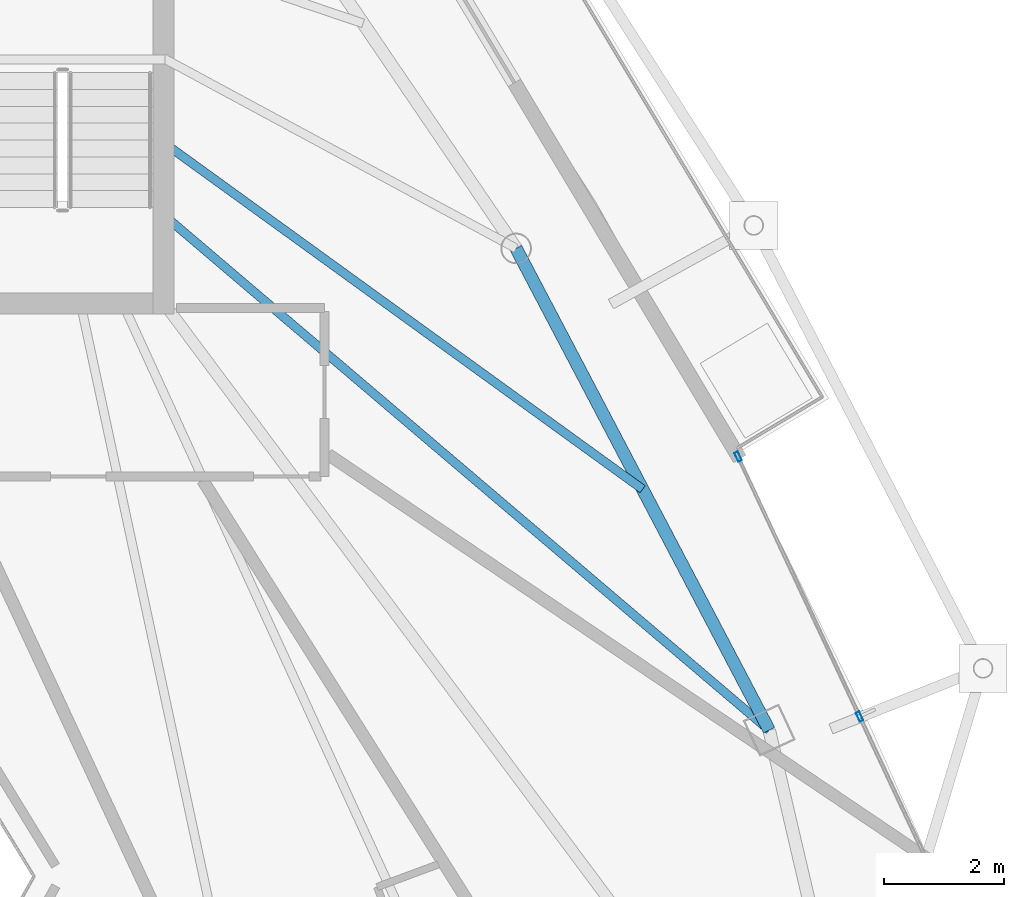
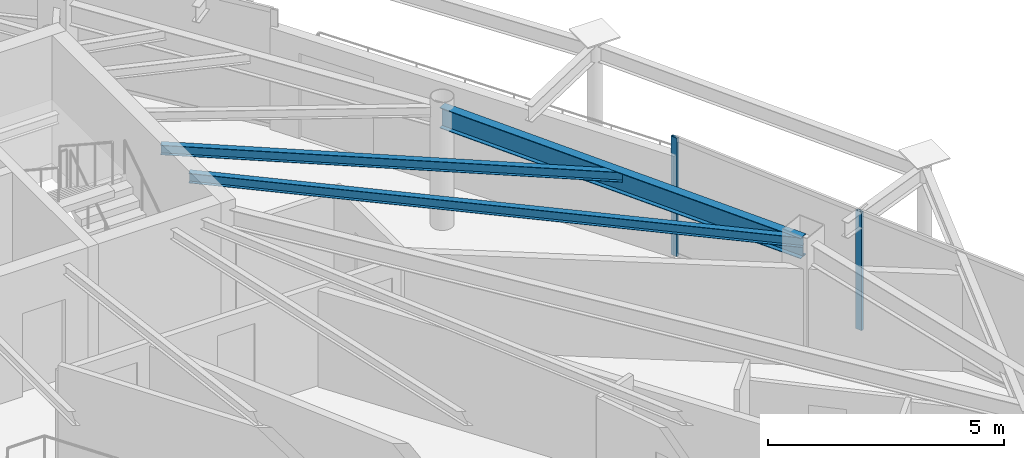
# One storey, part 17 of 29: 3 beams, 2 members, 1 element without a shape of its own.
"""IFC4 building model written with IfcOpenShell, lengths in metres."""

from ifc_helpers import new_model, si_unit, direction, frame, origin, origin_2d, place, context, subcontext, project, spatial, hollow_rectangle, i_section, extrude, material, layer, layer_set, material_profile, profile_set, type_object, element, aggregate, save


model = new_model("IFC4")

# Units and contexts
model_context = context("Model", 3, precision=1e-05, world=origin(), true_north=direction((0.0, 1.0)))
body_context = subcontext(model_context, "Body", "Model", "MODEL_VIEW")
ifc_project = project(units=[si_unit("LENGTHUNIT", "METRE"), si_unit("AREAUNIT", "SQUARE_METRE"), si_unit("VOLUMEUNIT", "CUBIC_METRE"), si_unit("PLANEANGLEUNIT", "RADIAN"), si_unit("MASSUNIT", "GRAM", prefix="KILO")], contexts=[model_context])

# Site, building, storey
site_placement = place(None, origin())
site = spatial("IfcSite", under=ifc_project, at=site_placement, CompositionType="ELEMENT")
building_placement = place(site_placement, origin())
building = spatial("IfcBuilding", under=site, at=building_placement, Name="Orvanel Arch Residences", CompositionType="ELEMENT")
storey_placement = place(building_placement, frame((0.0, 0.0, 256.85009765625)))
storey = spatial("IfcBuildingStorey", under=building, at=storey_placement, Name="L73", CompositionType="ELEMENT", Elevation=256.85009765625)

# Beams
ifc_material_1 = material(Name="Structural steel AS/NZS 3679.1 Grade 300 (300 MPa)", Category="steel")
ifc_material_profile_1 = material_profile(ifc_material_1, i_section(OverallWidth=0.14599609375, OverallDepth=0.251953125, WebThickness=0.006103515625, FlangeThickness=0.008544921875, at=origin_2d()), Name="250UB31.4")
ifc_profile_set_1 = profile_set([ifc_material_profile_1], Name="Structural steel AS/NZS 3679.1 Grade 300 (300 MPa)")
beam_type_1 = type_object("IfcBeamType", Name="BJ-250UB", PredefinedType="JOIST", material=ifc_profile_set_1)
beam_1_placement = place(storey_placement, frame((39.574951171875, 28.199951171875, 2.933837890625), z_axis=(0.761622669031, -0.64802076357, 0.0), x_axis=(0.64802076357, 0.761622669031, 0.0)))
element("IfcBeam", 1, at=beam_1_placement, inside=storey, type_object=beam_type_1, Name="L73 E Wing Floor Joist", PredefinedType="JOIST", context=body_context, shape_type="SweptSolid", body=[
    extrude(i_section(OverallWidth=0.14599609375, OverallDepth=0.251953125, WebThickness=0.006103515625, FlangeThickness=0.008544921875, at=origin_2d()), origin(), (0.0, 0.0, 1.0), 13.2060546875),
])
beam_2_placement = place(storey_placement, frame((39.574951171875, 29.39990234375, 2.933837890625), z_axis=(0.810144032972, -0.586230881002, 0.0), x_axis=(0.586230881002, 0.810144032972, 0.0)))
element("IfcBeam", 2, at=beam_2_placement, inside=storey, type_object=beam_type_1, Name="L73 CTE Wing Floor Joist", PredefinedType="JOIST", context=body_context, shape_type="SweptSolid", body=[
    extrude(i_section(OverallWidth=0.14599609375, OverallDepth=0.251953125, WebThickness=0.006103515625, FlangeThickness=0.008544921875, at=origin_2d()), origin(), (0.0, 0.0, 1.0), 9.82177734375),
])

# Curtain wall, members
ifc_material_2 = material(Name="Bronze-anodised aluminium AA6063-T6", Category="aluminium")
ifc_layer = layer(ifc_material_2, 0.175048828125)
ifc_layer_set = layer_set([ifc_layer], Name="Bronze-anodised aluminium AA6063-T6")
curtain_wall_type = type_object("IfcCurtainWallType", Name="CW4-HI-SYS", PredefinedType="NOTDEFINED", material=ifc_layer_set)
curtain_wall_placement = place(storey_placement, origin())
curtain_wall = element("IfcCurtainWall", 3, at=curtain_wall_placement, inside=storey, type_object=curtain_wall_type, Name="L73 CW4-HI-SYS Unitised Curtain Wall", PredefinedType="NOTDEFINED")
ifc_material_profile_2 = material_profile(ifc_material_2, hollow_rectangle(XDim=0.06494140625, YDim=0.159912109375, WallThickness=0.00390625, at=origin_2d()), Name="ALU160x65x4")
ifc_profile_set_2 = profile_set([ifc_material_profile_2], Name="Bronze-anodised aluminium AA6063-T6")
member_type = type_object("IfcMemberType", Name="MUL-160x65", PredefinedType="MULLION", material=ifc_profile_set_2)
member_1_placement = place(storey_placement, frame((51.134521484375, 19.867431640625, 0.0), z_axis=(0.0, 0.0, 1.0), x_axis=(-0.905975305707, -0.423330539235, 0.0)))
member_1 = element("IfcMember", 4, at=member_1_placement, type_object=member_type, Name="CW-S4 mullion 2", PredefinedType="MULLION", context=body_context, shape_type="SweptSolid", body=[
    extrude(hollow_rectangle(XDim=0.06494140625, YDim=0.159912109375, WallThickness=0.00390625, at=origin_2d()), origin(), (0.0, 0.0, 1.0), 3.059814453125),
])
member_2_placement = place(storey_placement, frame((49.11767578125, 24.18359375, 0.0), z_axis=(0.0, 0.0, 1.0), x_axis=(-0.905975305707, -0.423330539235, 0.0)))
member_2 = element("IfcMember", 5, at=member_2_placement, type_object=member_type, Name="CW-S4 mullion 3", PredefinedType="MULLION", context=body_context, shape_type="SweptSolid", body=[
    extrude(hollow_rectangle(XDim=0.06494140625, YDim=0.159912109375, WallThickness=0.00390625, at=origin_2d()), origin(), (0.0, 0.0, 1.0), 3.059814453125),
])
aggregate(curtain_wall, [member_1, member_2])

# Beam
ifc_material_profile_3 = material_profile(ifc_material_1, i_section(OverallWidth=0.208984375, OverallDepth=0.532958984375, WebThickness=0.01025390625, FlangeThickness=0.015625, at=origin_2d()), Name="530UB92.4")
ifc_profile_set_3 = profile_set([ifc_material_profile_3], Name="Structural steel AS/NZS 3679.1 Grade 300 (300 MPa)")
beam_type_2 = type_object("IfcBeamType", Name="SP-530UB", PredefinedType="SPANDREL", material=ifc_profile_set_3)
beam_3_placement = place(storey_placement, frame((49.633056640625, 19.64208984375, 2.7939453125), z_axis=(-0.465064762793, 0.885276660942, 0.0), x_axis=(-0.885276660942, -0.465064762793, 0.0)))
element("IfcBeam", 6, at=beam_3_placement, inside=storey, type_object=beam_type_2, Name="L73 Perimeter Spandrel Beam 07", PredefinedType="SPANDREL", context=body_context, shape_type="SweptSolid", body=[
    extrude(i_section(OverallWidth=0.208984375, OverallDepth=0.532958984375, WebThickness=0.01025390625, FlangeThickness=0.015625, at=origin_2d()), origin(), (0.0, 0.0, 1.0), 9.03564453125),
])

save(model, "model.ifc")
